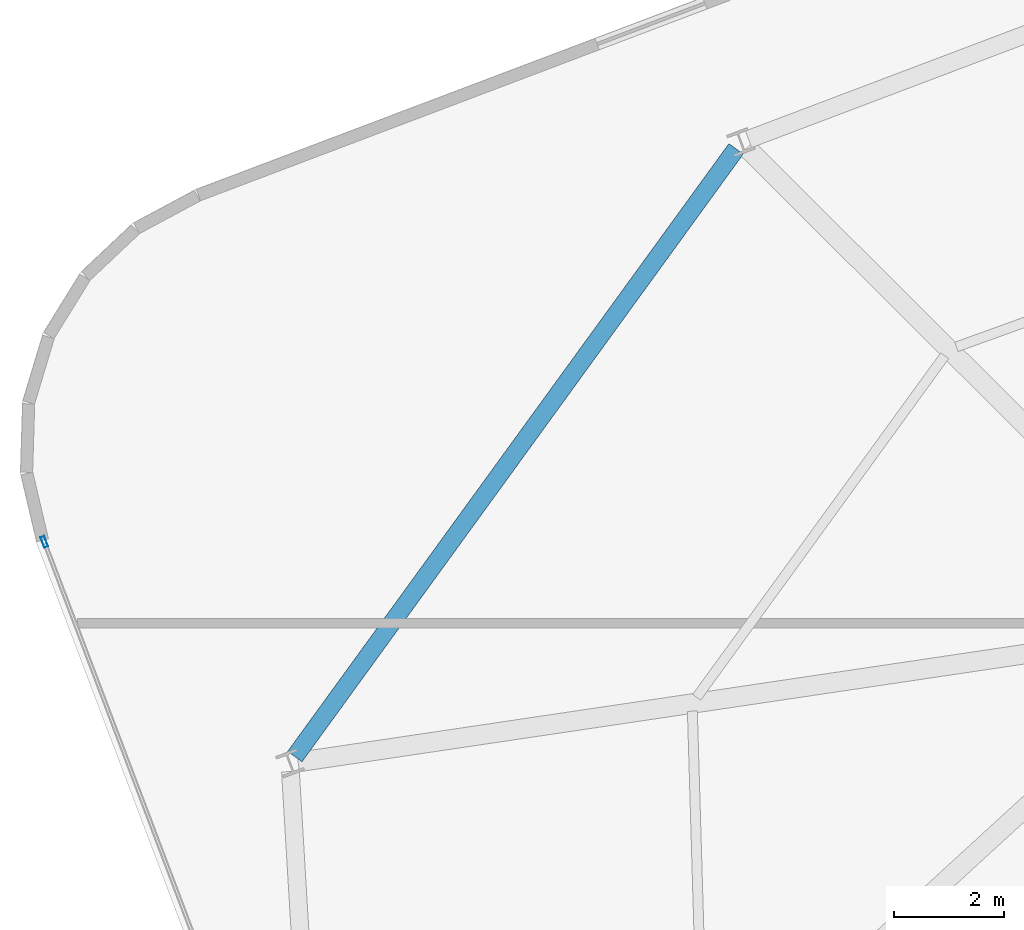
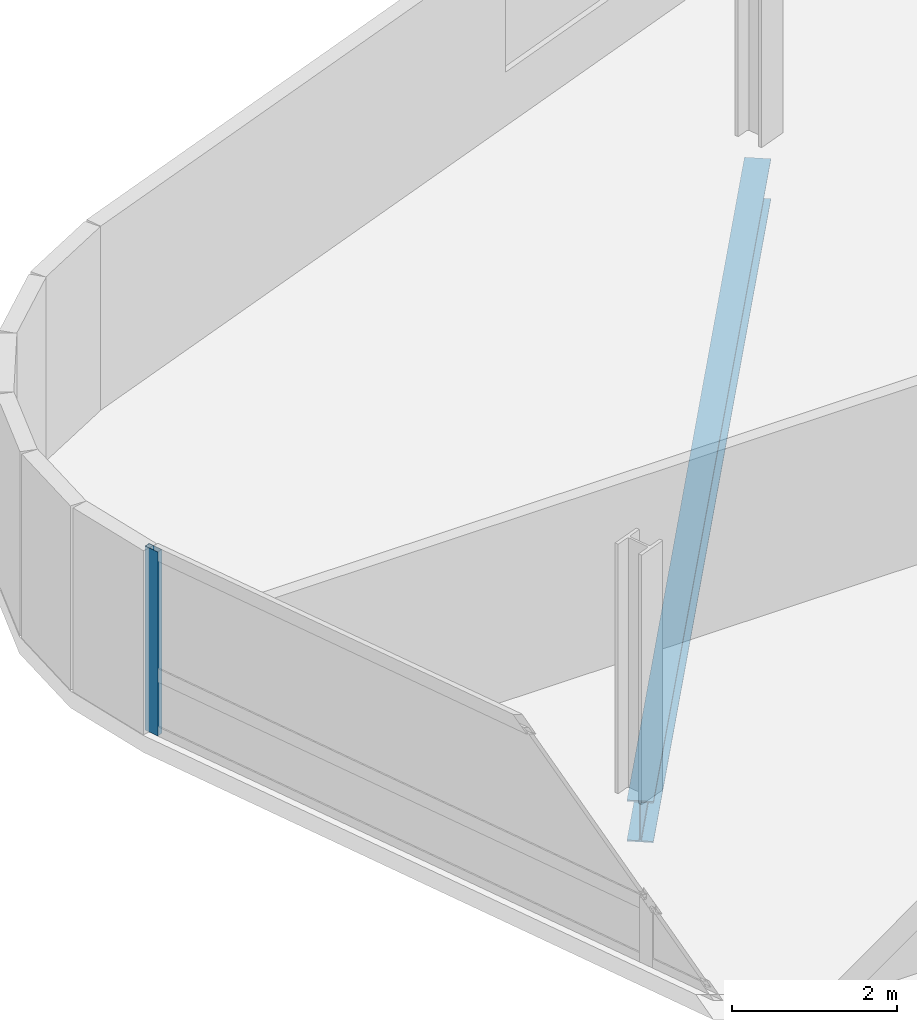
# One storey, part 10 of 24: 1 beam, 1 member, 1 element without a shape of its own.
"""IFC4 building model written with IfcOpenShell, lengths in metres."""

from ifc_helpers import new_model, si_unit, direction, frame, origin, origin_2d, place, context, subcontext, project, spatial, hollow_rectangle, i_section, extrude, material, layer, layer_set, material_profile, profile_set, type_object, element, aggregate, save


model = new_model("IFC4")

# Units and contexts
model_context = context("Model", 3, precision=1e-05, world=origin(), true_north=direction((0.0, 1.0)))
body_context = subcontext(model_context, "Body", "Model", "MODEL_VIEW")
ifc_project = project(units=[si_unit("LENGTHUNIT", "METRE"), si_unit("AREAUNIT", "SQUARE_METRE"), si_unit("VOLUMEUNIT", "CUBIC_METRE"), si_unit("PLANEANGLEUNIT", "RADIAN"), si_unit("MASSUNIT", "GRAM", prefix="KILO")], contexts=[model_context])

# Site, building, storey
site_placement = place(None, origin())
site = spatial("IfcSite", under=ifc_project, at=site_placement, CompositionType="ELEMENT")
building_placement = place(site_placement, origin())
building = spatial("IfcBuilding", under=site, at=building_placement, Name="Varnelok Gate Tower", CompositionType="ELEMENT")
storey_placement = place(building_placement, frame((0.0, 0.0, 212.699951171875)))
storey = spatial("IfcBuildingStorey", under=building, at=storey_placement, Name="L54", CompositionType="ELEMENT", Elevation=212.699951171875)

# Beam
ifc_material_1 = material(Name="Structural Steel ASTM A992 Grade 50", Category="steel")
ifc_material_profile_1 = material_profile(ifc_material_1, i_section(OverallWidth=0.323974609375, OverallDepth=0.611083984375, WebThickness=0.0126953125, FlangeThickness=0.01904296875, FilletRadius=0.01806640625, at=origin_2d()), Name="W24X104")
ifc_profile_set_1 = profile_set([ifc_material_profile_1], Name="Structural Steel ASTM A992 Grade 50")
beam_type = type_object("IfcBeamType", Name="BM-SPN-W24X104", PredefinedType="SPANDREL", material=ifc_profile_set_1)
beam_placement = place(storey_placement, frame((15.479736328125, 35.35009765625, -0.555419921875), z_axis=(-0.587549324529, -0.80918835338, 0.0), x_axis=(0.80918835338, -0.587549324529, 0.0)))
element("IfcBeam", 1, at=beam_placement, inside=storey, type_object=beam_type, Name="L54 Perimeter Spandrel Beam 13", PredefinedType="SPANDREL", context=body_context, shape_type="SweptSolid", body=[
    extrude(i_section(OverallWidth=0.323974609375, OverallDepth=0.611083984375, WebThickness=0.0126953125, FlangeThickness=0.01904296875, FilletRadius=0.01806640625, at=origin_2d()), origin(), (0.0, 0.0, 1.0), 13.6953125),
])

# Curtain wall, member
ifc_material_2 = material(Name="Anodized Aluminum Alloy 6063-T6", Category="aluminium")
ifc_layer = layer(ifc_material_2, 0.179931640625)
ifc_layer_set = layer_set([ifc_layer], Name="Anodized Aluminum Alloy 6063-T6")
curtain_wall_type = type_object("IfcCurtainWallType", Name="CW4-RESIDENCE-VISION", PredefinedType="USERDEFINED", material=ifc_layer_set)
curtain_wall_placement = place(storey_placement, origin())
curtain_wall = element("IfcCurtainWall", 2, at=curtain_wall_placement, inside=storey, type_object=curtain_wall_type, Name="L54 West End Vision Curtain Wall", ObjectType="UNITISED CURTAIN WALL", PredefinedType="USERDEFINED")
ifc_material_profile_2 = material_profile(ifc_material_2, hollow_rectangle(XDim=0.074951171875, YDim=0.199951171875, WallThickness=0.00390625, at=origin_2d()), Name="ALU200X75X4")
ifc_profile_set_2 = profile_set([ifc_material_profile_2], Name="Anodized Aluminum Alloy 6063-T6")
member_type = type_object("IfcMemberType", Name="CW-MULL-200", PredefinedType="MULLION", material=ifc_profile_set_2)
member_placement = place(storey_placement, frame((2.864990234375, 28.1845703125, 0.0), z_axis=(0.0, 0.0, 1.0), x_axis=(-0.935221557832, -0.354063042079, 0.0)))
member = element("IfcMember", 3, at=member_placement, type_object=member_type, Name="CW4 mullion 5", PredefinedType="MULLION", context=body_context, shape_type="SweptSolid", body=[
    extrude(hollow_rectangle(XDim=0.074951171875, YDim=0.199951171875, WallThickness=0.00390625, at=origin_2d()), origin(), (0.0, 0.0, 1.0), 2.72998046875),
])
aggregate(curtain_wall, [member])

save(model, "model.ifc")
